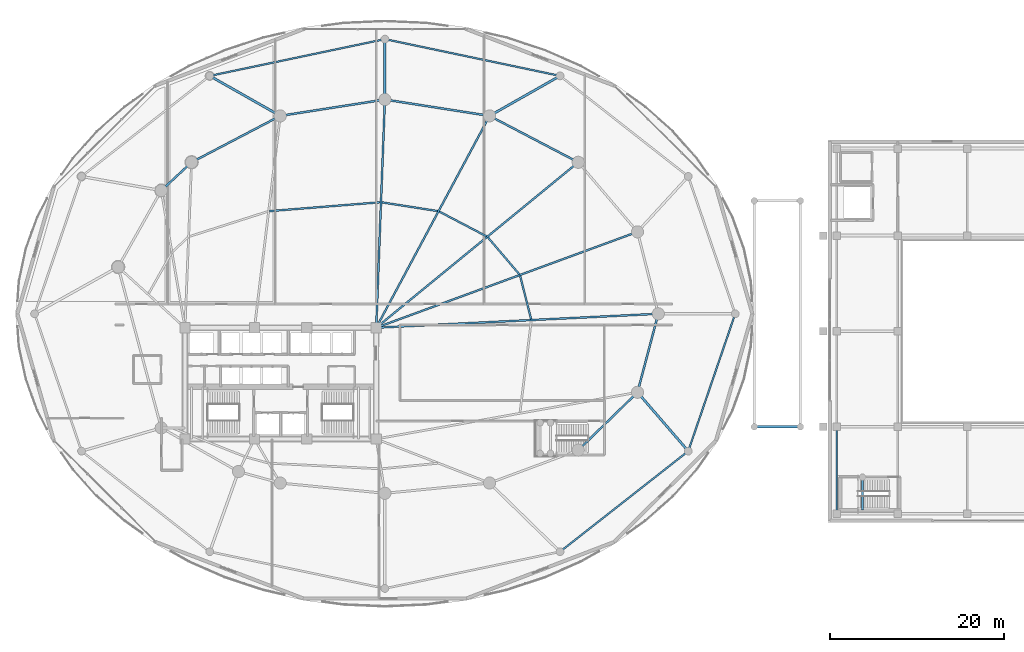
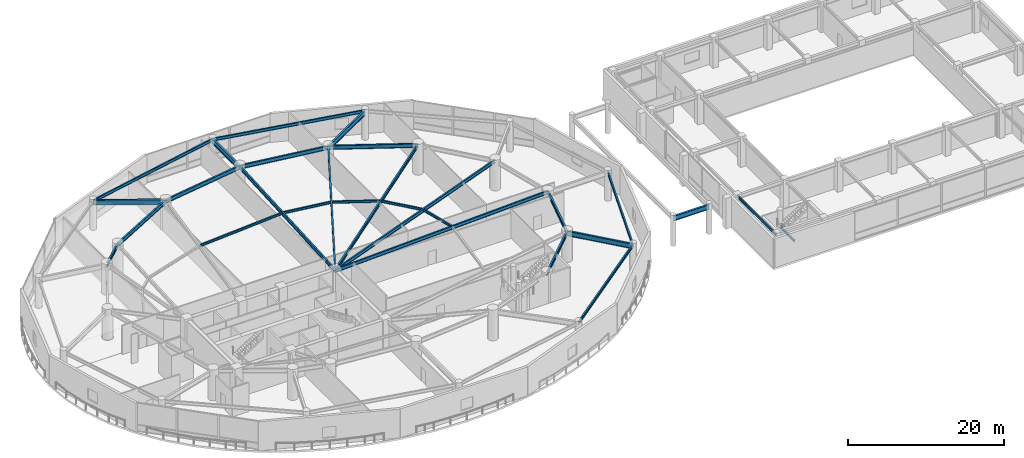
# One storey, part 10 of 40: 28 beams.
"""IFC4 building model written with IfcOpenShell, lengths in metres."""

from ifc_helpers import new_model, si_unit, direction, frame, origin, origin_2d, place, context, subcontext, project, spatial, i_section, extrude, material, material_profile, profile_set, type_object, element, save


model = new_model("IFC4")

# Units and contexts
model_context = context("Model", 3, precision=1e-05, world=origin(), true_north=direction((0.0, 1.0)))
body_context = subcontext(model_context, "Body", "Model", "MODEL_VIEW")
ifc_project = project(units=[si_unit("LENGTHUNIT", "METRE"), si_unit("AREAUNIT", "SQUARE_METRE"), si_unit("VOLUMEUNIT", "CUBIC_METRE"), si_unit("PLANEANGLEUNIT", "RADIAN"), si_unit("MASSUNIT", "GRAM", prefix="KILO")], contexts=[model_context])

# Site, building, storey
site_placement = place(None, origin())
site = spatial("IfcSite", under=ifc_project, at=site_placement, CompositionType="ELEMENT")
building_placement = place(site_placement, origin())
building = spatial("IfcBuilding", under=site, at=building_placement, Name="Kazevale Care Tower and Concert Hall", CompositionType="ELEMENT")
storey_placement = place(building_placement, frame((0.0, 0.0, 9.60009765625)))
storey = spatial("IfcBuildingStorey", under=building, at=storey_placement, Name="L02", CompositionType="ELEMENT", Elevation=9.60009765625)

# Beams
ifc_material = material(Name="Steel ASTM A572 Gr 50", Category="steel")
ifc_material_profile_1 = material_profile(ifc_material, i_section(OverallWidth=0.180908203125, OverallDepth=0.4169921875, WebThickness=0.010986328125, FlangeThickness=0.018310546875, at=origin_2d()), Name="W410x85")
ifc_profile_set_1 = profile_set([ifc_material_profile_1], Name="Steel ASTM A572 Gr 50")
beam_type_1 = type_object("IfcBeamType", Name="Concert Hall Secondary Beam W410x85", PredefinedType="BEAM", material=ifc_profile_set_1)
beam_1_placement = place(storey_placement, frame((97.0, 15.0, 4.3115234375), z_axis=(0.0, 1.0, 0.0), x_axis=(-1.0, 0.0, 0.0)))
element("IfcBeam", 1, at=beam_1_placement, inside=storey, type_object=beam_type_1, Name="beam:L02:hy:97_15", PredefinedType="BEAM", context=body_context, shape_type="SweptSolid", body=[
    extrude(i_section(OverallWidth=0.180908203125, OverallDepth=0.4169921875, WebThickness=0.010986328125, FlangeThickness=0.018310546875, at=origin_2d()), origin(), (0.0, 0.0, 1.0), 10.0),
])
ifc_material_profile_2 = material_profile(ifc_material, i_section(OverallWidth=0.194091796875, OverallDepth=0.468994140625, WebThickness=0.0126953125, FlangeThickness=0.0205078125, at=origin_2d()), Name="W460x106")
ifc_profile_set_2 = profile_set([ifc_material_profile_2], Name="Steel ASTM A572 Gr 50")
beam_type_2 = type_object("IfcBeamType", Name="Podium Floor Beam W460x106", PredefinedType="BEAM", material=ifc_profile_set_2)
for number, where, z_axis, x_axis, name in (
    (2, (65.14990234375, 65.3701171875, 4.285400390625), (-0.978668137727, 0.205447502293, 0.0), (-0.205447502293, -0.978668137727, 0.0), "beam:L02:podring:03"),
    (3, (45.0, 69.60009765625, 4.285400390625), (-0.978668137727, -0.205447502293, 0.0), (0.205447502293, -0.978668137727, 0.0), "beam:L02:podring:04"),
):
    element("IfcBeam", number, at=place(storey_placement, frame(where, z_axis=z_axis, x_axis=x_axis)), inside=storey, type_object=beam_type_2, Name=name, PredefinedType="BEAM", context=body_context, shape_type="SweptSolid", body=[
        extrude(i_section(OverallWidth=0.194091796875, OverallDepth=0.468994140625, WebThickness=0.0126953125, FlangeThickness=0.0205078125, at=origin_2d()), origin(), (0.0, 0.0, 1.0), 20.589111328125),
    ])
beam_2_placement = place(storey_placement, frame((65.14990234375, 10.6298828125, 4.285400390625), z_axis=(0.786816091325, 0.617187522907, 0.0), x_axis=(-0.617187522907, 0.786816091325, 0.0)))
element("IfcBeam", 4, at=beam_2_placement, inside=storey, type_object=beam_type_2, Name="beam:L02:podring:11", PredefinedType="BEAM", context=body_context, shape_type="SweptSolid", body=[
    extrude(i_section(OverallWidth=0.194091796875, OverallDepth=0.468994140625, WebThickness=0.0126953125, FlangeThickness=0.0205078125, at=origin_2d()), origin(), (0.0, 0.0, 1.0), 18.746337890625),
])
beam_3_placement = place(storey_placement, frame((79.89990234375, 22.199951171875, 4.285400390625), z_axis=(0.323412440773, 0.946258100707, 0.0), x_axis=(-0.946258100707, 0.323412440773, 0.0)))
element("IfcBeam", 5, at=beam_3_placement, inside=storey, type_object=beam_type_2, Name="beam:L02:podring:12", PredefinedType="BEAM", context=body_context, shape_type="SweptSolid", body=[
    extrude(i_section(OverallWidth=0.194091796875, OverallDepth=0.468994140625, WebThickness=0.0126953125, FlangeThickness=0.0205078125, at=origin_2d()), origin(), (0.0, 0.0, 1.0), 16.697509765625),
])
ifc_material_profile_3 = material_profile(ifc_material, i_section(OverallWidth=0.26806640625, OverallDepth=0.77001953125, WebThickness=0.015625, FlangeThickness=0.025390625, at=origin_2d()), Name="W760x196")
ifc_profile_set_3 = profile_set([ifc_material_profile_3], Name="Steel ASTM A572 Gr 50")
beam_type_3 = type_object("IfcBeamType", Name="Podium Primary Girder W760x196", PredefinedType="BEAM", material=ifc_profile_set_3)
beam_4_placement = place(storey_placement, frame((87.5, 25.0, 4.125), z_axis=(1.0, 0.0, 0.0), x_axis=(0.0, 1.0, 0.0)))
element("IfcBeam", 6, at=beam_4_placement, inside=storey, type_object=beam_type_3, Name="beam:L02:gbox:1", PredefinedType="BEAM", context=body_context, shape_type="SweptSolid", body=[
    extrude(i_section(OverallWidth=0.26806640625, OverallDepth=0.77001953125, WebThickness=0.015625, FlangeThickness=0.025390625, at=origin_2d()), origin(), (0.0, 0.0, 1.0), 5.300048828125),
])
beam_5_placement = place(storey_placement, frame((57.0400390625, 60.77001953125, 4.135009765625), z_axis=(0.869814698665, 0.493378546338, 0.0), x_axis=(-0.493378546338, 0.869814698665, 0.0)))
element("IfcBeam", 7, at=beam_5_placement, inside=storey, type_object=beam_type_3, Name="beam:L02:podrad:03", PredefinedType="BEAM", context=body_context, shape_type="SweptSolid", body=[
    extrude(i_section(OverallWidth=0.26806640625, OverallDepth=0.77001953125, WebThickness=0.015625, FlangeThickness=0.025390625, at=origin_2d()), origin(), (0.0, 0.0, 1.0), 9.32373046875),
])
beam_6_placement = place(storey_placement, frame((45.0, 62.64990234375, 4.135009765625), z_axis=(0.0, 1.0, 0.0), x_axis=(-1.0, 0.0, 0.0)))
element("IfcBeam", 8, at=beam_6_placement, inside=storey, type_object=beam_type_3, Name="beam:L02:podrad:04", PredefinedType="BEAM", context=body_context, shape_type="SweptSolid", body=[
    extrude(i_section(OverallWidth=0.26806640625, OverallDepth=0.77001953125, WebThickness=0.015625, FlangeThickness=0.025390625, at=origin_2d()), origin(), (0.0, 0.0, 1.0), 6.9501953125),
])
beam_7_placement = place(storey_placement, frame((32.9599609375, 60.77001953125, 4.135009765625), z_axis=(-0.869814698665, 0.493378546338, 0.0), x_axis=(-0.493378546338, -0.869814698665, 0.0)))
element("IfcBeam", 9, at=beam_7_placement, inside=storey, type_object=beam_type_3, Name="beam:L02:podrad:05", PredefinedType="BEAM", context=body_context, shape_type="SweptSolid", body=[
    extrude(i_section(OverallWidth=0.26806640625, OverallDepth=0.77001953125, WebThickness=0.015625, FlangeThickness=0.025390625, at=origin_2d()), origin(), (0.0, 0.0, 1.0), 9.32373046875),
])
beam_8_placement = place(storey_placement, frame((74.06005859375, 28.969970703125, 4.135009765625), z_axis=(0.653171864392, -0.757209690618, 0.0), x_axis=(0.757209690618, 0.653171864392, 0.0)))
element("IfcBeam", 10, at=beam_8_placement, inside=storey, type_object=beam_type_3, Name="beam:L02:podrad:12", PredefinedType="BEAM", context=body_context, shape_type="SweptSolid", body=[
    extrude(i_section(OverallWidth=0.26806640625, OverallDepth=0.77001953125, WebThickness=0.015625, FlangeThickness=0.025390625, at=origin_2d()), origin(), (0.0, 0.0, 1.0), 8.940673828125),
])
ifc_material_profile_4 = material_profile(ifc_material, i_section(OverallWidth=0.2119140625, OverallDepth=0.5439453125, WebThickness=0.01318359375, FlangeThickness=0.021240234375, at=origin_2d()), Name="W530x123")
ifc_profile_set_4 = profile_set([ifc_material_profile_4], Name="Steel ASTM A572 Gr 50")
beam_type_4 = type_object("IfcBeamType", Name="Radial Floor Girder W530x123", PredefinedType="BEAM", material=ifc_profile_set_4)
beam_9_placement = place(storey_placement, frame((44.0, 36.39990234375, 4.247802734375), z_axis=(0.998786488782, 0.049249871327, 0.0), x_axis=(-0.049249871327, 0.998786488782, 0.0)))
element("IfcBeam", 11, at=beam_9_placement, inside=storey, type_object=beam_type_4, Name="beam:L02:rad:01", PredefinedType="BEAM", context=body_context, shape_type="SweptSolid", body=[
    extrude(i_section(OverallWidth=0.2119140625, OverallDepth=0.5439453125, WebThickness=0.01318359375, FlangeThickness=0.021240234375, at=origin_2d()), origin(), (0.0, 0.0, 1.0), 32.4892578125),
])
beam_10_placement = place(storey_placement, frame((44.0, 36.39990234375, 4.247802734375), z_axis=(0.938795458019, 0.34447509054, 0.0), x_axis=(-0.34447509054, 0.938795458019, 0.0)))
element("IfcBeam", 12, at=beam_10_placement, inside=storey, type_object=beam_type_4, Name="beam:L02:rad:02", PredefinedType="BEAM", context=body_context, shape_type="SweptSolid", body=[
    extrude(i_section(OverallWidth=0.2119140625, OverallDepth=0.5439453125, WebThickness=0.01318359375, FlangeThickness=0.021240234375, at=origin_2d()), origin(), (0.0, 0.0, 1.0), 32.019775390625),
])
beam_11_placement = place(storey_placement, frame((44.0, 36.39990234375, 4.247802734375), z_axis=(0.773704467398, 0.633546681097, 0.0), x_axis=(-0.633546681097, 0.773704467398, 0.0)))
element("IfcBeam", 13, at=beam_11_placement, inside=storey, type_object=beam_type_4, Name="beam:L02:rad:03", PredefinedType="BEAM", context=body_context, shape_type="SweptSolid", body=[
    extrude(i_section(OverallWidth=0.2119140625, OverallDepth=0.5439453125, WebThickness=0.01318359375, FlangeThickness=0.021240234375, at=origin_2d()), origin(), (0.0, 0.0, 1.0), 30.037353515625),
])
beam_12_placement = place(storey_placement, frame((44.0, 36.39990234375, 4.247802734375), z_axis=(0.471788966953, 0.88171150081, 0.0), x_axis=(-0.88171150081, 0.471788966953, 0.0)))
element("IfcBeam", 14, at=beam_12_placement, inside=storey, type_object=beam_type_4, Name="beam:L02:rad:04", PredefinedType="BEAM", context=body_context, shape_type="SweptSolid", body=[
    extrude(i_section(OverallWidth=0.2119140625, OverallDepth=0.5439453125, WebThickness=0.01318359375, FlangeThickness=0.021240234375, at=origin_2d()), origin(), (0.0, 0.0, 1.0), 27.6396484375),
])
beam_13_placement = place(storey_placement, frame((44.0, 36.39990234375, 4.247802734375), z_axis=(0.038067625343, 0.999275165258, 0.0), x_axis=(-0.999275165258, 0.038067625343, 0.0)))
element("IfcBeam", 15, at=beam_13_placement, inside=storey, type_object=beam_type_4, Name="beam:L02:rad:05", PredefinedType="BEAM", context=body_context, shape_type="SweptSolid", body=[
    extrude(i_section(OverallWidth=0.2119140625, OverallDepth=0.5439453125, WebThickness=0.01318359375, FlangeThickness=0.021240234375, at=origin_2d()), origin(), (0.0, 0.0, 1.0), 26.26904296875),
])
ifc_material_profile_5 = material_profile(ifc_material, i_section(OverallWidth=0.22900390625, OverallDepth=0.612060546875, WebThickness=0.011962890625, FlangeThickness=0.01953125, at=origin_2d()), Name="W610x125")
ifc_profile_set_5 = profile_set([ifc_material_profile_5], Name="Steel ASTM A572 Gr 50")
beam_type_5 = type_object("IfcBeamType", Name="Ring Spandrel Beam W610x125", PredefinedType="SPANDREL", material=ifc_profile_set_5)
beam_14_placement = place(storey_placement, frame((67.239990234375, 55.429931640625, 4.2138671875), z_axis=(-0.885929466679, 0.463819986708, 0.0), x_axis=(-0.463819986708, -0.885929466679, 0.0)))
element("IfcBeam", 16, at=beam_14_placement, inside=storey, type_object=beam_type_5, Name="beam:L02:ring:03", PredefinedType="SPANDREL", context=body_context, shape_type="SweptSolid", body=[
    extrude(i_section(OverallWidth=0.22900390625, OverallDepth=0.612060546875, WebThickness=0.011962890625, FlangeThickness=0.01953125, at=origin_2d()), origin(), (0.0, 0.0, 1.0), 11.51318359375),
])
for number, where, z_axis, x_axis, name in (
    (17, (57.0400390625, 60.77001953125, 4.2138671875), (-0.988029216561, 0.154266870134, 0.0), (-0.154266870134, -0.988029216561, 0.0), "beam:L02:ring:04"),
    (18, (45.0, 62.64990234375, 4.2138671875), (-0.988029216561, -0.154266870134, 0.0), (0.154266870134, -0.988029216561, 0.0), "beam:L02:ring:05"),
):
    element("IfcBeam", number, at=place(storey_placement, frame(where, z_axis=z_axis, x_axis=x_axis)), inside=storey, type_object=beam_type_5, Name=name, PredefinedType="SPANDREL", context=body_context, shape_type="SweptSolid", body=[
        extrude(i_section(OverallWidth=0.22900390625, OverallDepth=0.612060546875, WebThickness=0.011962890625, FlangeThickness=0.01953125, at=origin_2d()), origin(), (0.0, 0.0, 1.0), 12.18603515625),
    ])
beam_15_placement = place(storey_placement, frame((32.9599609375, 60.77001953125, 4.2138671875), z_axis=(-0.885929466679, -0.463819986708, 0.0), x_axis=(0.463819986708, -0.885929466679, 0.0)))
element("IfcBeam", 19, at=beam_15_placement, inside=storey, type_object=beam_type_5, Name="beam:L02:ring:06", PredefinedType="SPANDREL", context=body_context, shape_type="SweptSolid", body=[
    extrude(i_section(OverallWidth=0.22900390625, OverallDepth=0.612060546875, WebThickness=0.011962890625, FlangeThickness=0.01953125, at=origin_2d()), origin(), (0.0, 0.0, 1.0), 11.51318359375),
])
beam_16_placement = place(storey_placement, frame((22.760009765625, 55.429931640625, 4.2138671875), z_axis=(-0.731820896228, -0.681497010884, 0.0), x_axis=(0.681497010884, -0.731820896228, 0.0)))
element("IfcBeam", 20, at=beam_16_placement, inside=storey, type_object=beam_type_5, Name="beam:L02:ring:07", PredefinedType="SPANDREL", context=body_context, shape_type="SweptSolid", body=[
    extrude(i_section(OverallWidth=0.22900390625, OverallDepth=0.612060546875, WebThickness=0.011962890625, FlangeThickness=0.01953125, at=origin_2d()), origin(), (0.0, 0.0, 1.0), 4.768798828125),
])
beam_17_placement = place(storey_placement, frame((67.239990234375, 22.31005859375, 4.2138671875), z_axis=(0.715457453508, 0.698656304788, 0.0), x_axis=(-0.698656304788, 0.715457453508, 0.0)))
element("IfcBeam", 21, at=beam_17_placement, inside=storey, type_object=beam_type_5, Name="beam:L02:ring:15", PredefinedType="SPANDREL", context=body_context, shape_type="SweptSolid", body=[
    extrude(i_section(OverallWidth=0.22900390625, OverallDepth=0.612060546875, WebThickness=0.011962890625, FlangeThickness=0.01953125, at=origin_2d()), origin(), (0.0, 0.0, 1.0), 9.532470703125),
])
beam_18_placement = place(storey_placement, frame((74.06005859375, 28.969970703125, 4.2138671875), z_axis=(0.255851611973, 0.966716066201, 0.0), x_axis=(-0.966716066201, 0.255851611973, 0.0)))
element("IfcBeam", 22, at=beam_18_placement, inside=storey, type_object=beam_type_5, Name="beam:L02:ring:16", PredefinedType="SPANDREL", context=body_context, shape_type="SweptSolid", body=[
    extrude(i_section(OverallWidth=0.22900390625, OverallDepth=0.612060546875, WebThickness=0.011962890625, FlangeThickness=0.01953125, at=origin_2d()), origin(), (0.0, 0.0, 1.0), 9.3408203125),
])
ifc_material_profile_6 = material_profile(ifc_material, i_section(OverallWidth=0.205078125, OverallDepth=0.35400390625, WebThickness=0.009521484375, FlangeThickness=0.016845703125, at=origin_2d()), Name="W360x79")
ifc_profile_set_6 = profile_set([ifc_material_profile_6], Name="Steel ASTM A572 Gr 50")
beam_type_6 = type_object("IfcBeamType", Name="Secondary Floor Joist W360x79", PredefinedType="JOIST", material=ifc_profile_set_6)
beam_19_placement = place(storey_placement, frame((61.822021484375, 37.382080078125, 4.343017578125), z_axis=(-0.24568570229, 0.969349542575, 0.0), x_axis=(-0.969349542575, -0.24568570229, 0.0)))
element("IfcBeam", 23, at=beam_19_placement, inside=storey, type_object=beam_type_6, Name="beam:L02:joist:01", PredefinedType="JOIST", context=body_context, shape_type="SweptSolid", body=[
    extrude(i_section(OverallWidth=0.205078125, OverallDepth=0.35400390625, WebThickness=0.009521484375, FlangeThickness=0.016845703125, at=origin_2d()), origin(), (0.0, 0.0, 1.0), 5.140380859375),
])
beam_20_placement = place(storey_placement, frame((60.465087890625, 42.5458984375, 4.343017578125), z_axis=(-0.648685510477, 0.761056573783, 0.0), x_axis=(-0.761056573783, -0.648685510477, 0.0)))
element("IfcBeam", 24, at=beam_20_placement, inside=storey, type_object=beam_type_6, Name="beam:L02:joist:02", PredefinedType="JOIST", context=body_context, shape_type="SweptSolid", body=[
    extrude(i_section(OverallWidth=0.205078125, OverallDepth=0.35400390625, WebThickness=0.009521484375, FlangeThickness=0.016845703125, at=origin_2d()), origin(), (0.0, 0.0, 1.0), 5.57275390625),
])
beam_21_placement = place(storey_placement, frame((56.68896484375, 46.9150390625, 4.343017578125), z_axis=(-0.885921274797, 0.463835633454, 0.0), x_axis=(-0.463835633454, -0.885921274797, 0.0)))
element("IfcBeam", 25, at=beam_21_placement, inside=storey, type_object=beam_type_6, Name="beam:L02:joist:03", PredefinedType="JOIST", context=body_context, shape_type="SweptSolid", body=[
    extrude(i_section(OverallWidth=0.205078125, OverallDepth=0.35400390625, WebThickness=0.009521484375, FlangeThickness=0.016845703125, at=origin_2d()), origin(), (0.0, 0.0, 1.0), 6.12255859375),
])
beam_22_placement = place(storey_placement, frame((51.068115234375, 49.820068359375, 4.343017578125), z_axis=(-0.988040697826, 0.154193318403, 0.0), x_axis=(-0.154193318403, -0.988040697826, 0.0)))
element("IfcBeam", 26, at=beam_22_placement, inside=storey, type_object=beam_type_6, Name="beam:L02:joist:04", PredefinedType="JOIST", context=body_context, shape_type="SweptSolid", body=[
    extrude(i_section(OverallWidth=0.205078125, OverallDepth=0.35400390625, WebThickness=0.009521484375, FlangeThickness=0.016845703125, at=origin_2d()), origin(), (0.0, 0.0, 1.0), 6.49169921875),
])
beam_23_placement = place(storey_placement, frame((44.445068359375, 50.8291015625, 4.343017578125), z_axis=(-0.996814548036, -0.079754353015, 0.0), x_axis=(0.079754353015, -0.996814548036, 0.0)))
element("IfcBeam", 27, at=beam_23_placement, inside=storey, type_object=beam_type_6, Name="beam:L02:joist:05", PredefinedType="JOIST", context=body_context, shape_type="SweptSolid", body=[
    extrude(i_section(OverallWidth=0.205078125, OverallDepth=0.35400390625, WebThickness=0.009521484375, FlangeThickness=0.016845703125, at=origin_2d()), origin(), (0.0, 0.0, 1.0), 12.752685546875),
])
ifc_material_profile_7 = material_profile(ifc_material, i_section(OverallWidth=0.202880859375, OverallDepth=0.302978515625, WebThickness=0.007568359375, FlangeThickness=0.01318359375, at=origin_2d()), Name="W310x60")
ifc_profile_set_7 = profile_set([ifc_material_profile_7], Name="Steel ASTM A572 Gr 50")
beam_type_7 = type_object("IfcBeamType", Name="Stair & Balcony Trimmer W310x60", PredefinedType="BEAM", material=ifc_profile_set_7)
beam_24_placement = place(storey_placement, frame((99.949951171875, 15.39990234375, 2.04833984375), z_axis=(0.0, 1.0, 0.0), x_axis=(-1.0, 0.0, 0.0)))
element("IfcBeam", 28, at=beam_24_placement, inside=storey, type_object=beam_type_7, Name="beam:L02:ST4:trim:1", PredefinedType="BEAM", context=body_context, shape_type="SweptSolid", body=[
    extrude(i_section(OverallWidth=0.202880859375, OverallDepth=0.302978515625, WebThickness=0.007568359375, FlangeThickness=0.01318359375, at=origin_2d()), origin(), (0.0, 0.0, 1.0), 3.800048828125),
])

save(model, "model.ifc")
